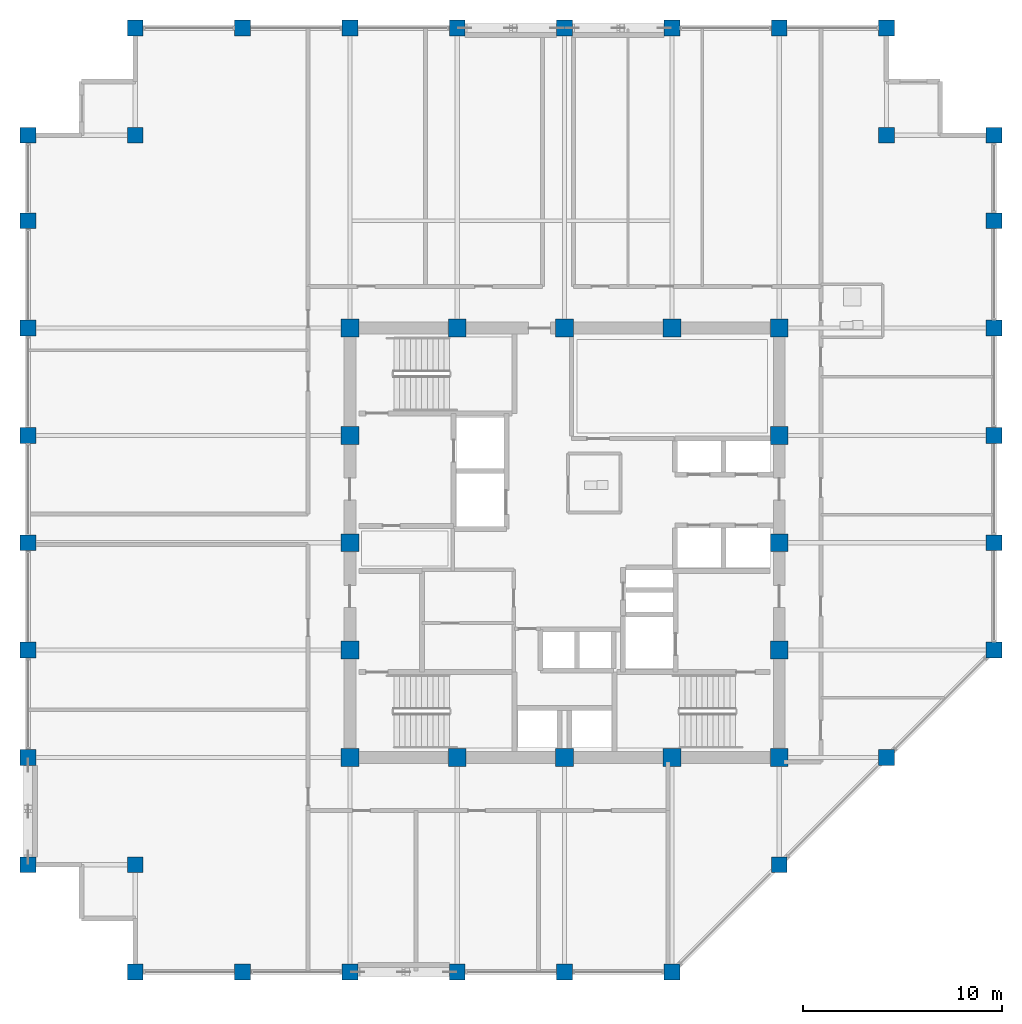
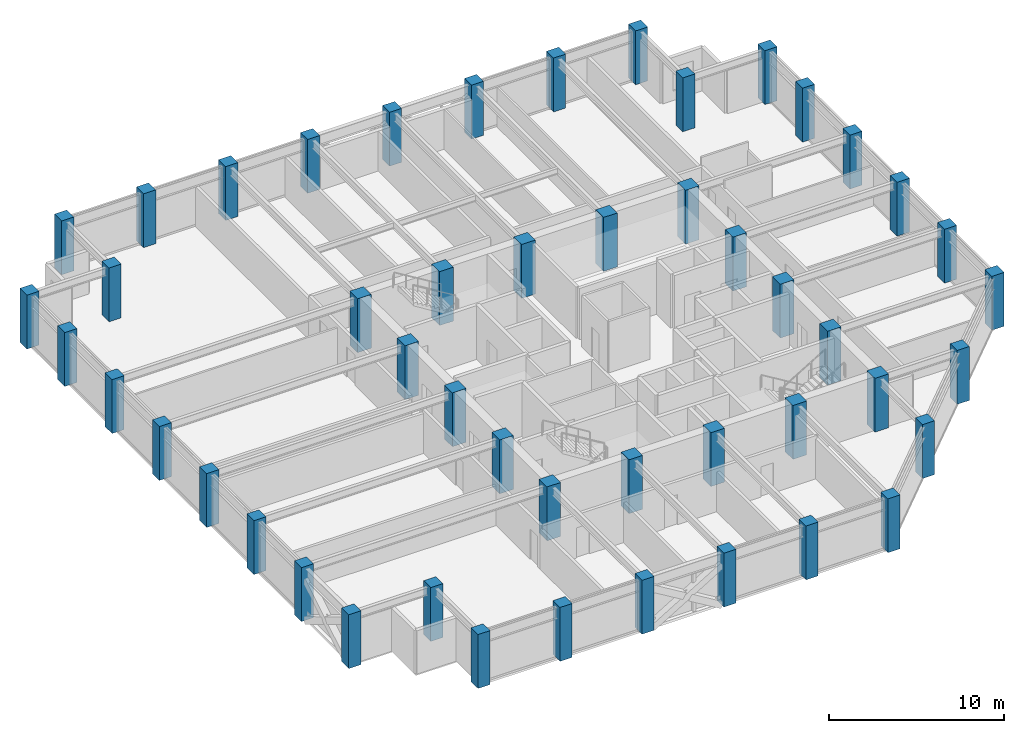
# One storey, part 1 of 32: 49 columns.
"""IFC4 building model written with IfcOpenShell, lengths in metres."""

from ifc_helpers import new_model, si_unit, direction, frame, origin, origin_2d, place, context, subcontext, project, spatial, rectangle, extrude, material, material_profile, profile_set, type_object, element, save


model = new_model("IFC4")

# Units and contexts
model_context = context("Model", 3, precision=1e-05, world=origin(), true_north=direction((0.0, 1.0)))
body_context = subcontext(model_context, "Body", "Model", "MODEL_VIEW")
ifc_project = project(units=[si_unit("LENGTHUNIT", "METRE"), si_unit("AREAUNIT", "SQUARE_METRE"), si_unit("VOLUMEUNIT", "CUBIC_METRE"), si_unit("PLANEANGLEUNIT", "RADIAN"), si_unit("MASSUNIT", "GRAM", prefix="KILO")], contexts=[model_context])

# Site, building, storey
site_placement = place(None, origin())
site = spatial("IfcSite", under=ifc_project, at=site_placement, CompositionType="ELEMENT")
building_placement = place(site_placement, origin())
building = spatial("IfcBuilding", under=site, at=building_placement, Name="Surkhivell Harbour Commons", CompositionType="ELEMENT")
storey_placement = place(building_placement, frame((0.0, 0.0, 216.0)))
storey = spatial("IfcBuildingStorey", under=building, at=storey_placement, Name="L56", CompositionType="ELEMENT", Elevation=216.0)

# Columns
ifc_material_1 = material(Name="Concrete C60/75", Category="concrete")
ifc_material_profile_1 = material_profile(ifc_material_1, rectangle(XDim=0.89990234375, YDim=0.89990234375, at=origin_2d()), Name="RC-COL-900x900")
ifc_profile_set_1 = profile_set([ifc_material_profile_1], Name="Concrete C60/75")
column_type_1 = type_object("IfcColumnType", Name="COL-TUBE-Z3A", PredefinedType="COLUMN", material=ifc_profile_set_1)
for number, where, z_axis, x_axis, name in (
    (1, (-10.800048828125, -10.800048828125, 0.0), (0.0, 0.0, 1.0), (1.0, 0.0, 0.0), "L56 Column CT-3A (-10.8,-10.8)"),
    (2, (-10.800048828125, -5.39990234375, 0.0), (0.0, 0.0, 1.0), (1.0, 0.0, 0.0), "L56 Column CT-3A (-10.8,-5.4)"),
    (3, (-10.800048828125, 0.0, 0.0), (0.0, 0.0, 1.0), (1.0, 0.0, 0.0), "L56 Column CT-3A (-10.8,0.0)"),
    (4, (-10.800048828125, 5.39990234375, 0.0), (0.0, 0.0, 1.0), (1.0, 0.0, 0.0), "L56 Column CT-3A (-10.8,5.4)"),
    (5, (-10.800048828125, 10.800048828125, 0.0), (0.0, 0.0, 1.0), (1.0, 0.0, 0.0), "L56 Column CT-3A (-10.8,10.8)"),
    (6, (-5.39990234375, -10.800048828125, 0.0), (0.0, 0.0, 1.0), (1.0, 0.0, 0.0), "L56 Column CT-3A (-5.4,-10.8)"),
    (7, (-5.39990234375, 10.800048828125, 0.0), (0.0, 0.0, 1.0), (1.0, 0.0, 0.0), "L56 Column CT-3A (-5.4,10.8)"),
    (8, (0.0, -10.800048828125, 0.0), (0.0, 0.0, 1.0), (1.0, 0.0, 0.0), "L56 Column CT-3A (0.0,-10.8)"),
    (9, (0.0, 10.800048828125, 0.0), (0.0, 0.0, 1.0), (1.0, 0.0, 0.0), "L56 Column CT-3A (0.0,10.8)"),
    (10, (5.39990234375, -10.800048828125, 0.0), (0.0, 0.0, 1.0), (1.0, 0.0, 0.0), "L56 Column CT-3A (5.4,-10.8)"),
    (11, (5.39990234375, 10.800048828125, 0.0), (0.0, 0.0, 1.0), (1.0, 0.0, 0.0), "L56 Column CT-3A (5.4,10.8)"),
    (12, (10.800048828125, -10.800048828125, 0.0), (0.0, 0.0, 1.0), (1.0, 0.0, 0.0), "L56 Column CT-3A (10.8,-10.8)"),
    (13, (10.800048828125, -5.39990234375, 0.0), (0.0, 0.0, 1.0), (1.0, 0.0, 0.0), "L56 Column CT-3A (10.8,-5.4)"),
    (14, (10.800048828125, 0.0, 0.0), (0.0, 0.0, 1.0), (1.0, 0.0, 0.0), "L56 Column CT-3A (10.8,0.0)"),
    (15, (10.800048828125, 5.39990234375, 0.0), (0.0, 0.0, 1.0), (1.0, 0.0, 0.0), "L56 Column CT-3A (10.8,5.4)"),
    (16, (10.800048828125, 10.800048828125, 0.0), (0.0, 0.0, 1.0), (1.0, 0.0, 0.0), "L56 Column CT-3A (10.8,10.8)"),
):
    element("IfcColumn", number, at=place(storey_placement, frame(where, z_axis=z_axis, x_axis=x_axis)), inside=storey, type_object=column_type_1, Name=name, PredefinedType="COLUMN", context=body_context, shape_type="SweptSolid", body=[
        extrude(rectangle(XDim=0.89990234375, YDim=0.89990234375, at=origin_2d()), origin(), (0.0, 0.0, 1.0), 3.75),
    ])
ifc_material_2 = material(Name="Concrete C50/60", Category="concrete")
ifc_material_profile_2 = material_profile(ifc_material_2, rectangle(XDim=0.800048828125, YDim=0.800048828125, at=origin_2d()), Name="RC-COL-800x800")
ifc_profile_set_2 = profile_set([ifc_material_profile_2], Name="Concrete C50/60")
column_type_2 = type_object("IfcColumnType", Name="COL-TUBE-Z3B", PredefinedType="COLUMN", material=ifc_profile_set_2)
for number, where, z_axis, x_axis, name in (
    (17, (-27.0, -16.199951171875, 0.0), (0.0, 0.0, 1.0), (1.0, 0.0, 0.0), "L56 Column CT-3B (-27.0,-16.2)"),
    (18, (-27.0, -10.800048828125, 0.0), (0.0, 0.0, 1.0), (1.0, 0.0, 0.0), "L56 Column CT-3B (-27.0,-10.8)"),
    (19, (-27.0, -5.39990234375, 0.0), (0.0, 0.0, 1.0), (1.0, 0.0, 0.0), "L56 Column CT-3B (-27.0,-5.4)"),
    (20, (-27.0, 0.0, 0.0), (0.0, 0.0, 1.0), (1.0, 0.0, 0.0), "L56 Column CT-3B (-27.0,0.0)"),
    (21, (-27.0, 5.39990234375, 0.0), (0.0, 0.0, 1.0), (1.0, 0.0, 0.0), "L56 Column CT-3B (-27.0,5.4)"),
    (22, (-27.0, 10.800048828125, 0.0), (0.0, 0.0, 1.0), (1.0, 0.0, 0.0), "L56 Column CT-3B (-27.0,10.8)"),
    (23, (-27.0, 16.199951171875, 0.0), (0.0, 0.0, 1.0), (1.0, 0.0, 0.0), "L56 Column CT-3B (-27.0,16.2)"),
    (24, (-27.0, 20.5, 0.0), (0.0, 0.0, 1.0), (1.0, 0.0, 0.0), "L56 Column CT-3B (-27.0,20.5)"),
    (25, (-21.60009765625, -21.60009765625, 0.0), (0.0, 0.0, 1.0), (1.0, 0.0, 0.0), "L56 Column CT-3B (-21.6,-21.6)"),
    (26, (-21.60009765625, -16.199951171875, 0.0), (0.0, 0.0, 1.0), (1.0, 0.0, 0.0), "L56 Column CT-3B (-21.6,-16.2)"),
    (27, (-21.60009765625, 20.5, 0.0), (0.0, 0.0, 1.0), (1.0, 0.0, 0.0), "L56 Column CT-3B (-21.6,20.5)"),
    (28, (-21.60009765625, 25.89990234375, 0.0), (0.0, 0.0, 1.0), (1.0, 0.0, 0.0), "L56 Column CT-3B (-21.6,25.9)"),
    (29, (-16.199951171875, -21.60009765625, 0.0), (0.0, 0.0, 1.0), (1.0, 0.0, 0.0), "L56 Column CT-3B (-16.2,-21.6)"),
    (30, (-16.199951171875, 25.89990234375, 0.0), (0.0, 0.0, 1.0), (1.0, 0.0, 0.0), "L56 Column CT-3B (-16.2,25.9)"),
    (31, (-10.800048828125, -21.60009765625, 0.0), (0.0, 0.0, 1.0), (1.0, 0.0, 0.0), "L56 Column CT-3B (-10.8,-21.6)"),
    (32, (-10.800048828125, 25.89990234375, 0.0), (0.0, 0.0, 1.0), (1.0, 0.0, 0.0), "L56 Column CT-3B (-10.8,25.9)"),
    (33, (-5.39990234375, -21.60009765625, 0.0), (0.0, 0.0, 1.0), (1.0, 0.0, 0.0), "L56 Column CT-3B (-5.4,-21.6)"),
    (34, (-5.39990234375, 25.89990234375, 0.0), (0.0, 0.0, 1.0), (1.0, 0.0, 0.0), "L56 Column CT-3B (-5.4,25.9)"),
    (35, (0.0, -21.60009765625, 0.0), (0.0, 0.0, 1.0), (1.0, 0.0, 0.0), "L56 Column CT-3B (-0.0,-21.6)"),
    (36, (0.0, 25.89990234375, 0.0), (0.0, 0.0, 1.0), (1.0, 0.0, 0.0), "L56 Column CT-3B (-0.0,25.9)"),
    (37, (5.39990234375, -21.60009765625, 0.0), (0.0, 0.0, 1.0), (1.0, 0.0, 0.0), "L56 Column CT-3B (5.4,-21.6)"),
    (38, (5.39990234375, 25.89990234375, 0.0), (0.0, 0.0, 1.0), (1.0, 0.0, 0.0), "L56 Column CT-3B (5.4,25.9)"),
    (39, (10.800048828125, -16.199951171875, 0.0), (0.0, 0.0, 1.0), (1.0, 0.0, 0.0), "L56 Column CT-3B (10.8,-16.2)"),
    (40, (10.800048828125, 25.89990234375, 0.0), (0.0, 0.0, 1.0), (1.0, 0.0, 0.0), "L56 Column CT-3B (10.8,25.9)"),
    (41, (16.199951171875, -10.800048828125, 0.0), (0.0, 0.0, 1.0), (1.0, 0.0, 0.0), "L56 Column CT-3B (16.2,-10.8)"),
    (42, (16.199951171875, 20.5, 0.0), (0.0, 0.0, 1.0), (1.0, 0.0, 0.0), "L56 Column CT-3B (16.2,20.5)"),
    (43, (16.199951171875, 25.89990234375, 0.0), (0.0, 0.0, 1.0), (1.0, 0.0, 0.0), "L56 Column CT-3B (16.2,25.9)"),
    (44, (21.60009765625, -5.39990234375, 0.0), (0.0, 0.0, 1.0), (1.0, 0.0, 0.0), "L56 Column CT-3B (21.6,-5.4)"),
    (45, (21.60009765625, 0.0, 0.0), (0.0, 0.0, 1.0), (1.0, 0.0, 0.0), "L56 Column CT-3B (21.6,0.0)"),
    (46, (21.60009765625, 5.39990234375, 0.0), (0.0, 0.0, 1.0), (1.0, 0.0, 0.0), "L56 Column CT-3B (21.6,5.4)"),
    (47, (21.60009765625, 10.800048828125, 0.0), (0.0, 0.0, 1.0), (1.0, 0.0, 0.0), "L56 Column CT-3B (21.6,10.8)"),
    (48, (21.60009765625, 16.199951171875, 0.0), (0.0, 0.0, 1.0), (1.0, 0.0, 0.0), "L56 Column CT-3B (21.6,16.2)"),
    (49, (21.60009765625, 20.5, 0.0), (0.0, 0.0, 1.0), (1.0, 0.0, 0.0), "L56 Column CT-3B (21.6,20.5)"),
):
    element("IfcColumn", number, at=place(storey_placement, frame(where, z_axis=z_axis, x_axis=x_axis)), inside=storey, type_object=column_type_2, Name=name, PredefinedType="COLUMN", context=body_context, shape_type="SweptSolid", body=[
        extrude(rectangle(XDim=0.800048828125, YDim=0.800048828125, at=origin_2d()), origin(), (0.0, 0.0, 1.0), 3.75),
    ])

save(model, "model.ifc")
